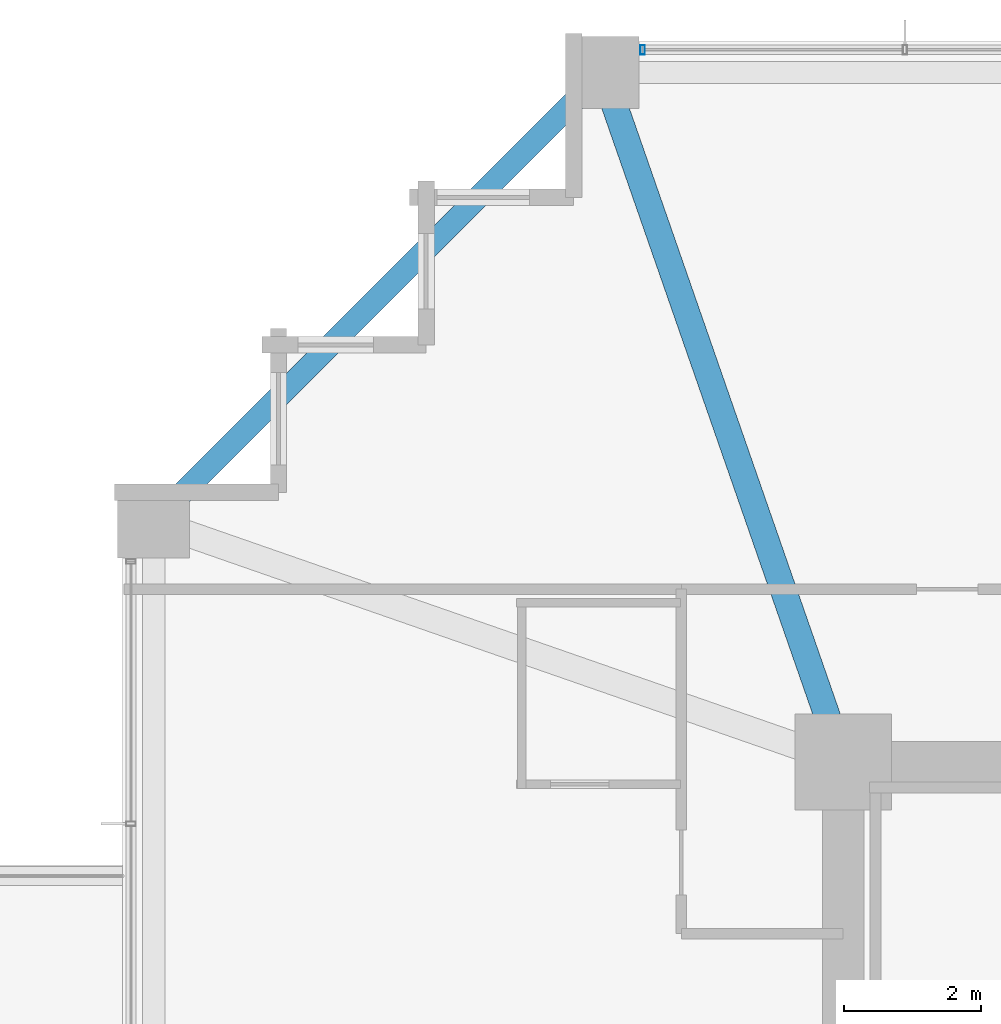
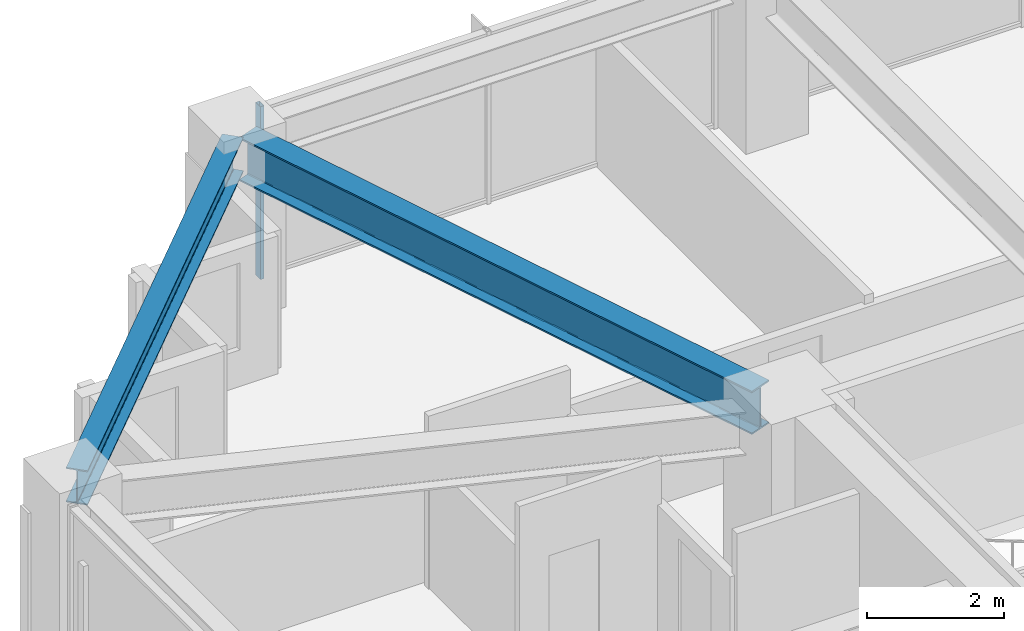
# One storey, part 17 of 38: 2 beams, 1 member, 1 element without a shape of its own.
"""IFC4 building model written with IfcOpenShell, lengths in metres."""

import ifcopenshell
import ifcopenshell.guid

model = None  # the IFC model being written
_history = None  # IfcOwnerHistory: only IFC2X3 demands one
_inside = {}  # id of a spatial element -> (the spatial element, [elements in it])
_under = {}  # id of a project, library or spatial element -> (it, [spatial elements below it])
_declared = {}  # id of a project -> (the project, [libraries it declares])
_typed = {}  # id of a type object -> (the type object, [elements of that type])
_made_of = {}  # id of a material, layer set ... -> (it, [elements and type objects made of it])


def new_model(schema):
    """Start an empty IFC model of exactly this schema.

    Asked for "IFC4X3", IfcOpenShell would pick the latest addendum, in which some entities
    have other attributes; the version numbers below select the first issue.
    IFC2X3 requires an IfcOwnerHistory on every rooted entity: one is made here for all.
    """
    global model, _history
    if schema == "IFC4X3":
        model = ifcopenshell.file(schema_version=(4, 3, 0, 0))
    else:
        model = ifcopenshell.file(schema=schema)
    _inside.clear()
    _under.clear()
    _declared.clear()
    _typed.clear()
    _made_of.clear()
    _history = None
    if model.schema == "IFC2X3":
        org = make("IfcOrganization", Name="unknown")
        user = make(
            "IfcPersonAndOrganization",
            ThePerson=make("IfcPerson", FamilyName="unknown"),
            TheOrganization=org,
        )
        app = make(
            "IfcApplication",
            ApplicationDeveloper=org,
            Version="unknown",
            ApplicationFullName="unknown",
            ApplicationIdentifier="unknown",
        )
        _history = make(
            "IfcOwnerHistory",
            OwningUser=user,
            OwningApplication=app,
            ChangeAction="ADDED",
            CreationDate=0,
        )
    return model


def make(cls, **values):
    """One entity of the class cls with the attributes given. An attribute that is None is left unset."""
    return model.create_entity(
        cls, **{name: value for name, value in values.items() if value is not None}
    )


def rooted(cls, **values):
    """An entity with a GlobalId (a new one), such as an element, a storey or a relation."""
    return make(cls, GlobalId=ifcopenshell.guid.new(), OwnerHistory=_history, **values)


def si_unit(unit_type, name, prefix=None):
    """IfcSIUnit, for example si_unit("LENGTHUNIT", "METRE", prefix="MILLI")."""
    return make("IfcSIUnit", UnitType=unit_type, Prefix=prefix, Name=name)


def assignment(units):
    """IfcUnitAssignment: the units of a project."""
    return None if units is None else make("IfcUnitAssignment", Units=units)


def point(xyz):
    """IfcCartesianPoint."""
    return None if xyz is None else make("IfcCartesianPoint", Coordinates=xyz)


def direction(xyz):
    """IfcDirection."""
    return None if xyz is None else make("IfcDirection", DirectionRatios=xyz)


def frame(location, z_axis=None, x_axis=None):
    """IfcAxis2Placement3D, a coordinate frame: its origin and axes. An axis left out is left unset."""
    return make(
        "IfcAxis2Placement3D",
        Location=point(location),
        Axis=direction(z_axis),
        RefDirection=direction(x_axis),
    )


def frame_2d(location, x_axis=None):
    """IfcAxis2Placement2D, a coordinate frame in the plane: its origin and x axis."""
    return make(
        "IfcAxis2Placement2D", Location=point(location), RefDirection=direction(x_axis)
    )


def origin():
    """The frame at (0, 0, 0) with its axes left unset."""
    return frame((0.0, 0.0, 0.0))


def origin_2d():
    """The frame at (0, 0) in the plane with its x axis left unset."""
    return frame_2d((0.0, 0.0))


def place(relative_to, where):
    """IfcLocalPlacement: puts the frame where relative to a parent placement (None: the world)."""
    return make(
        "IfcLocalPlacement", PlacementRelTo=relative_to, RelativePlacement=where
    )


def context(
    kind, dimensions, precision=None, world=None, true_north=None, identifier=None
):
    """IfcGeometricRepresentationContext, for example the 3D "Model" context."""
    return make(
        "IfcGeometricRepresentationContext",
        ContextIdentifier=identifier,
        ContextType=kind,
        CoordinateSpaceDimension=dimensions,
        Precision=precision,
        WorldCoordinateSystem=world,
        TrueNorth=true_north,
    )


def subcontext(parent, identifier, kind, view, scale=None):
    """IfcGeometricRepresentationSubContext, for example "Body" below "Model"."""
    return make(
        "IfcGeometricRepresentationSubContext",
        ContextIdentifier=identifier,
        ContextType=kind,
        ParentContext=parent,
        TargetScale=scale,
        TargetView=view,
    )


def project(units=None, contexts=None):
    """IfcProject with its units and contexts."""
    return rooted(
        "IfcProject",
        Name="project",
        RepresentationContexts=contexts,
        UnitsInContext=assignment(units),
    )


def spatial(cls, under=None, at=None, **own):
    """A site, building, storey or space (cls), placed at a placement, below another one or the project."""
    s = rooted(cls, ObjectPlacement=at, **own)
    if under is not None:
        _under.setdefault(under.id(), (under, []))[1].append(s)
    return s


def profile(cls, at=None, kind="AREA", **sizes):
    """A parametric profile (cls). Its sizes go by their IFC names, for example OverallWidth=200.0."""
    return make(cls, ProfileType=kind, Position=at, **sizes)


def hollow_rectangle(**sizes):
    """IfcRectangleHollowProfileDef."""
    return profile("IfcRectangleHollowProfileDef", **sizes)


def i_section(**sizes):
    """IfcIShapeProfileDef."""
    return profile("IfcIShapeProfileDef", **sizes)


def extrude(swept, where, along, depth):
    """IfcExtrudedAreaSolid: the profile swept, set in the frame where, extruded along a direction by depth."""
    return make(
        "IfcExtrudedAreaSolid",
        SweptArea=swept,
        Position=where,
        ExtrudedDirection=direction(along),
        Depth=depth,
    )


def shape(context_of_items, identifier, shape_type, items):
    """IfcShapeRepresentation: the items that make up one representation, for example the "Body"."""
    return make(
        "IfcShapeRepresentation",
        ContextOfItems=context_of_items,
        RepresentationIdentifier=identifier,
        RepresentationType=shape_type,
        Items=items,
    )


def material(Name=None, Category=None):
    """IfcMaterial."""
    return make("IfcMaterial", Name=Name, Category=Category)


def material_profile(
    of_material, cross_section, Name=None, Category=None, Priority=None
):
    """IfcMaterialProfile: a cross section and its material."""
    return make(
        "IfcMaterialProfile",
        Name=Name,
        Material=of_material,
        Profile=cross_section,
        Priority=Priority,
        Category=Category,
    )


def profile_set(profiles, Name=None, composite=None):
    """IfcMaterialProfileSet."""
    return make(
        "IfcMaterialProfileSet",
        Name=Name,
        MaterialProfiles=profiles,
        CompositeProfile=composite,
    )


def made_of(thing, what):
    """Note that an element or type object is made of a material, layer set ...; save() writes the relation."""
    if what is not None:
        _made_of.setdefault(what.id(), (what, []))[1].append(thing)
    return thing


def type_object(cls, material=None, **own):
    """A type object (cls), such as IfcWallType, which elements share."""
    return made_of(rooted(cls, **own), material)


def element(
    cls,
    number,
    at=None,
    inside=None,
    cuts=None,
    type_object=None,
    material=None,
    context=None,
    identifier="Body",
    shape_type=None,
    held_by="IfcProductDefinitionShape",
    body=None,
    shapes=None,
    **own,
):
    """One element of the class cls, such as IfcWall. Its Tag is "e" and its number.

    at: its placement. inside: the storey or other place that contains it. cuts: it is an
    opening in that element (IfcRelVoidsElement). A single representation is given by context,
    identifier, shape_type and body (its items); several are given by shapes. held_by: the class
    of the entity that holds the representations. save() writes the other relations.
    """
    e = rooted(cls, Tag="e%d" % number, ObjectPlacement=at, **own)
    if body is not None:
        shapes = [shape(context, identifier, shape_type, body)]
    if shapes is not None:
        e.Representation = make(held_by, Representations=shapes)
    if inside is not None:
        _inside.setdefault(inside.id(), (inside, []))[1].append(e)
    if cuts is not None:
        rooted(
            "IfcRelVoidsElement", RelatingBuildingElement=cuts, RelatedOpeningElement=e
        )
    if type_object is not None:
        _typed.setdefault(type_object.id(), (type_object, []))[1].append(e)
    return made_of(e, material)


def aggregate(whole, parts):
    """IfcRelAggregates: a whole, such as a stair, and the parts it consists of."""
    return rooted("IfcRelAggregates", RelatingObject=whole, RelatedObjects=parts)


def save(model, path):
    """Write the relations noted so far, then the file.

    IfcRelAggregates (storeys below a building ...), IfcRelContainedInSpatialStructure (elements
    in a storey), IfcRelDefinesByType, IfcRelAssociatesMaterial and IfcRelDeclares: one each for
    every whole, place, type object, material and project.
    """
    for whole, parts in _under.values():
        aggregate(whole, parts)
    for where, things in _inside.values():
        rooted(
            "IfcRelContainedInSpatialStructure",
            RelatedElements=things,
            RelatingStructure=where,
        )
    for kind, things in _typed.values():
        rooted("IfcRelDefinesByType", RelatedObjects=things, RelatingType=kind)
    for what, things in _made_of.values():
        rooted("IfcRelAssociatesMaterial", RelatedObjects=things, RelatingMaterial=what)
    for by, libraries in _declared.values():
        rooted("IfcRelDeclares", RelatingContext=by, RelatedDefinitions=libraries)
    model.write(path)


model = new_model("IFC4")

# Units and contexts
model_context = context("Model", 3, precision=1e-05, world=origin(), true_north=direction((0.0, 1.0)))
body_context = subcontext(model_context, "Body", "Model", "MODEL_VIEW")
ifc_project = project(units=[si_unit("LENGTHUNIT", "METRE"), si_unit("AREAUNIT", "SQUARE_METRE"), si_unit("VOLUMEUNIT", "CUBIC_METRE"), si_unit("PLANEANGLEUNIT", "RADIAN"), si_unit("MASSUNIT", "GRAM", prefix="KILO")], contexts=[model_context])

# Site, building, storey
site_placement = place(None, origin())
site = spatial("IfcSite", under=ifc_project, at=site_placement, CompositionType="ELEMENT")
building_placement = place(site_placement, origin())
building = spatial("IfcBuilding", under=site, at=building_placement, Name="Kolvaren Belvedere", CompositionType="ELEMENT")
storey_placement = place(building_placement, frame((0.0, 0.0, 101.89990234375)))
storey = spatial("IfcBuildingStorey", under=building, at=storey_placement, Name="L29", CompositionType="ELEMENT", Elevation=101.89990234375)

# Beams
ifc_material_1 = material(Name="Structural steel ASTM A992 Grade 50", Category="steel")
ifc_material_profile_1 = material_profile(ifc_material_1, i_section(OverallWidth=0.381103515625, OverallDepth=0.77294921875, WebThickness=0.0166015625, FlangeThickness=0.027099609375, FilletRadius=0.02392578125, at=origin_2d()), Name="W30X173")
ifc_profile_set_1 = profile_set([ifc_material_profile_1], Name="Structural steel ASTM A992 Grade 50")
beam_type_1 = type_object("IfcBeamType", Name="BM-GIRD-W30X173", PredefinedType="BEAM", material=ifc_profile_set_1)
beam_1_placement = place(storey_placement, frame((-10.080810546875, 10.41943359375, 2.693603515625), z_axis=(-0.328880894453, 0.944371408538, 0.0), x_axis=(-0.944371408538, -0.328880894453, 0.0)))
element("IfcBeam", 1, at=beam_1_placement, inside=storey, type_object=beam_type_1, Name="L29 Corner Core-to-Perimeter Girder CC4-N1", PredefinedType="BEAM", context=body_context, shape_type="SweptSolid", body=[
    extrude(i_section(OverallWidth=0.381103515625, OverallDepth=0.77294921875, WebThickness=0.0166015625, FlangeThickness=0.027099609375, FilletRadius=0.02392578125, at=origin_2d()), origin(), (0.0, 0.0, 1.0), 9.882080078125),
])
ifc_material_2 = material(Name="Structural steel ASTM A992 Grade 50", Category="steel")
ifc_material_profile_2 = material_profile(ifc_material_2, i_section(OverallWidth=0.324951171875, OverallDepth=0.615966796875, WebThickness=0.013916015625, FlangeThickness=0.021484375, FilletRadius=0.02001953125, at=origin_2d()), Name="W24X117")
ifc_profile_set_2 = profile_set([ifc_material_profile_2], Name="Structural steel ASTM A992 Grade 50")
beam_type_2 = type_object("IfcBeamType", Name="BM-SPAN-W24X117", PredefinedType="SPANDREL", material=ifc_profile_set_2)
beam_2_placement = place(storey_placement, frame((-13.567138671875, 19.782958984375, 2.772216796875), z_axis=(-0.707106781187, -0.707106781187, 0.0), x_axis=(0.707106781187, -0.707106781187, 0.0)))
element("IfcBeam", 2, at=beam_2_placement, inside=storey, type_object=beam_type_2, Name="L29 Perimeter Spandrel N1-W4", PredefinedType="SPANDREL", context=body_context, shape_type="SweptSolid", body=[
    extrude(i_section(OverallWidth=0.324951171875, OverallDepth=0.615966796875, WebThickness=0.013916015625, FlangeThickness=0.021484375, FilletRadius=0.02001953125, at=origin_2d()), origin(), (0.0, 0.0, 1.0), 8.79052734375),
])

# Curtain wall, member
ifc_material_3 = material(Name="Anodised pale-metal aluminium AA 6063-T6", Category="aluminium")
curtain_wall_type = type_object("IfcCurtainWallType", Name="CW-Z2-MID", PredefinedType="NOTDEFINED", material=ifc_material_3)
curtain_wall_placement = place(storey_placement, origin())
curtain_wall = element("IfcCurtainWall", 3, at=curtain_wall_placement, inside=storey, type_object=curtain_wall_type, Name="L29 Unitised Curtain Wall FCW-L29-N-B1", PredefinedType="NOTDEFINED")
ifc_material_4 = material(Name="Anodised pale-metal aluminium AA 6063-T6", Category="aluminium")
ifc_material_profile_3 = material_profile(ifc_material_4, hollow_rectangle(XDim=0.06494140625, YDim=0.139892578125, WallThickness=0.00390625, at=origin_2d()), Name="ALU-MUL-140X65")
ifc_profile_set_3 = profile_set([ifc_material_profile_3], Name="Anodised pale-metal aluminium AA 6063-T6")
member_type = type_object("IfcMemberType", Name="CW-MUL-140", PredefinedType="MULLION", material=ifc_profile_set_3)
member_placement = place(storey_placement, frame((-12.822509765625, 20.280029296875, 0.0), z_axis=(0.0, 0.0, 1.0), x_axis=(1.0, 0.0, 0.0)))
member = element("IfcMember", 4, at=member_placement, type_object=member_type, Name="FCW-L29-N-B1 Unitised Mullion 1", PredefinedType="MULLION", context=body_context, shape_type="SweptSolid", body=[
    extrude(hollow_rectangle(XDim=0.06494140625, YDim=0.139892578125, WallThickness=0.00390625, at=origin_2d()), origin(), (0.0, 0.0, 1.0), 3.080078125),
])
aggregate(curtain_wall, [member])

save(model, "model.ifc")
